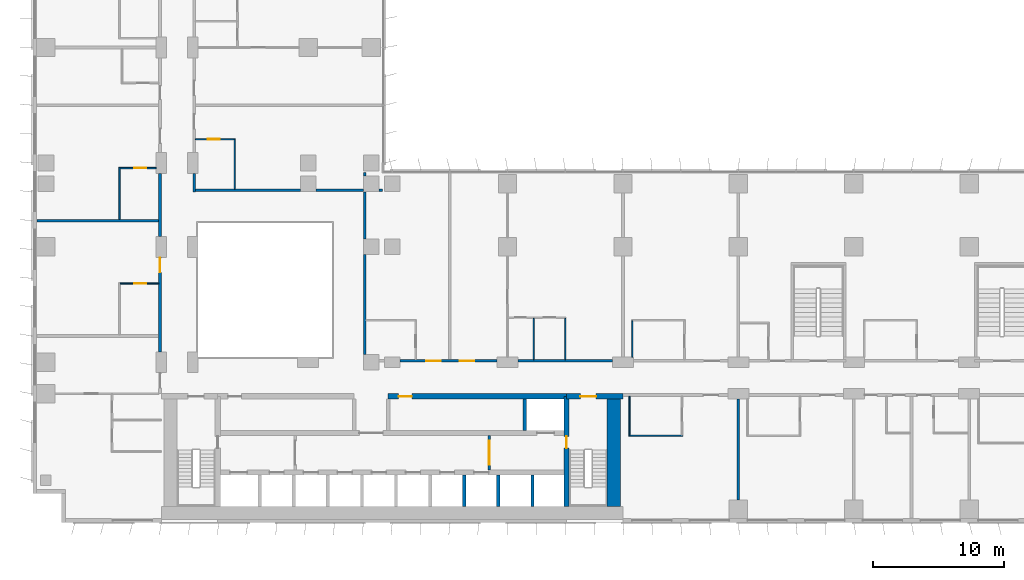
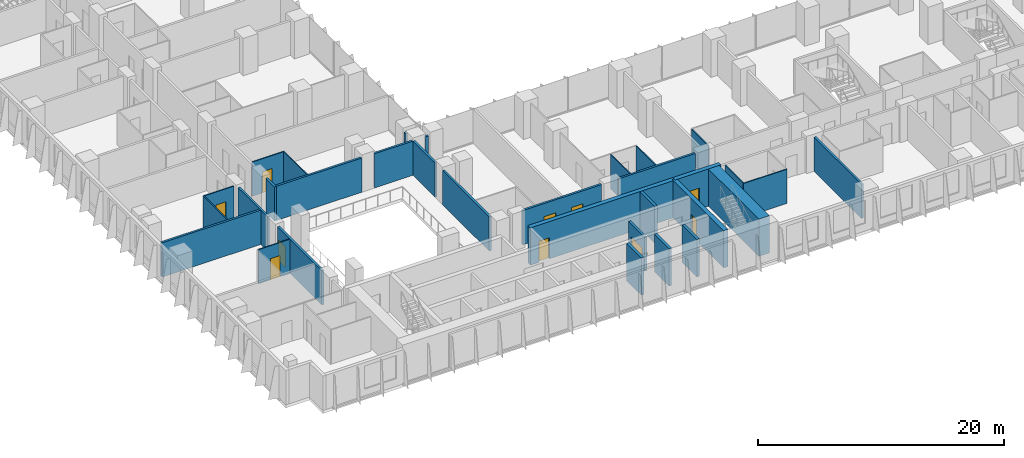
# One storey, part 13 of 24: 32 walls, 10 doors, 10 openings.
"""IFC4 building model written with IfcOpenShell, lengths in metres."""

from ifc_helpers import new_model, si_unit, direction, frame, frame_2d, origin, place, context, subcontext, project, spatial, rectangle, extrude, material, layer, layer_set, type_object, element, fill, save


model = new_model("IFC4")

# Units and contexts
model_context = context("Model", 3, precision=1e-05, world=origin(), true_north=direction((0.0, 1.0)))
body_context = subcontext(model_context, "Body", "Model", "MODEL_VIEW")
ifc_project = project(units=[si_unit("LENGTHUNIT", "METRE"), si_unit("AREAUNIT", "SQUARE_METRE"), si_unit("VOLUMEUNIT", "CUBIC_METRE"), si_unit("PLANEANGLEUNIT", "RADIAN"), si_unit("MASSUNIT", "GRAM", prefix="KILO")], contexts=[model_context])

# Site, building, storey
site_placement = place(None, origin())
site = spatial("IfcSite", under=ifc_project, at=site_placement, CompositionType="ELEMENT")
building_placement = place(site_placement, origin())
building = spatial("IfcBuilding", under=site, at=building_placement, Name="Kemantara Hotel Tower", CompositionType="ELEMENT")
storey_placement = place(building_placement, frame((0.0, 0.0, 45.10009765625)))
storey = spatial("IfcBuildingStorey", under=building, at=storey_placement, Name="L09", CompositionType="ELEMENT", Elevation=45.10009765625)

# Walls
ifc_material_1 = material(Name="Concrete fc 70 MPa", Category="concrete")
ifc_layer_1 = layer(ifc_material_1, 1.0)
ifc_layer_set_1 = layer_set([ifc_layer_1], Name="Concrete fc 70 MPa")
wall_type_1 = type_object("IfcWallType", Name="CORE WALL 1000 FC70", PredefinedType="SHEAR", material=ifc_layer_set_1)
wall_1_placement = place(storey_placement, frame((44.300048828125, 1.199951171875, 0.0), z_axis=(0.0, 0.0, 1.0), x_axis=(0.0, 1.0, 0.0)))
element("IfcWall", 1, at=wall_1_placement, inside=storey, type_object=wall_type_1, Name="CORE WALL CW-E", PredefinedType="SHEAR", context=body_context, shape_type="SweptSolid", body=[
    extrude(rectangle(XDim=8.60009765625, YDim=1.0, at=frame_2d((4.300048828125, 0.0))), origin(), (0.0, 0.0, 1.0), 3.699951171875),
])
ifc_layer_2 = layer(ifc_material_1, 0.25)
ifc_layer_set_2 = layer_set([ifc_layer_2], Name="Concrete fc 70 MPa")
wall_type_2 = type_object("IfcWallType", Name="CORE WALL 250 FC70", PredefinedType="SHEAR", material=ifc_layer_set_2)
for number, where, z_axis, x_axis, name in (
    (2, (32.89990234375, 1.199951171875, 0.0), (0.0, 0.0, 1.0), (0.0, 1.0, 0.0), "CORE WALL CW-DS32.9"),
    (3, (35.5, 1.199951171875, 0.0), (0.0, 0.0, 1.0), (0.0, 1.0, 0.0), "CORE WALL CW-DS35.5"),
    (4, (38.10009765625, 1.199951171875, 0.0), (0.0, 0.0, 1.0), (0.0, 1.0, 0.0), "CORE WALL CW-DS38.1"),
):
    element("IfcWall", number, at=place(storey_placement, frame(where, z_axis=z_axis, x_axis=x_axis)), inside=storey, type_object=wall_type_2, Name=name, PredefinedType="SHEAR", context=body_context, shape_type="SweptSolid", body=[
        extrude(rectangle(XDim=2.400146484375, YDim=0.25, at=frame_2d((1.2001953125, 0.0))), origin(), (0.0, 0.0, 1.0), 3.699951171875),
    ])
wall_2_placement = place(storey_placement, frame((37.5, 7.0, 0.0), z_axis=(0.0, 0.0, 1.0), x_axis=(0.0, 1.0, 0.0)))
element("IfcWall", 5, at=wall_2_placement, inside=storey, type_object=wall_type_2, Name="CORE WALL CW-DN37.5", PredefinedType="SHEAR", context=body_context, shape_type="SweptSolid", body=[
    extrude(rectangle(XDim=2.39990234375, YDim=0.25, at=frame_2d((1.199951171875, 0.0))), origin(), (0.0, 0.0, 1.0), 3.699951171875),
])

# Wall, opening, door
ifc_layer_3 = layer(ifc_material_1, 0.39990234375)
ifc_layer_set_3 = layer_set([ifc_layer_3], Name="Concrete fc 70 MPa")
wall_type_3 = type_object("IfcWallType", Name="CORE WALL 400 FC70", PredefinedType="SHEAR", material=ifc_layer_set_3)
wall_3_placement = place(storey_placement, frame((40.699951171875, 9.60009765625, 0.0), z_axis=(0.0, 0.0, 1.0), x_axis=(1.0, 0.0, 0.0)))
wall_3 = element("IfcWall", 6, at=wall_3_placement, inside=storey, type_object=wall_type_3, Name="CORE WALL CW-N2", PredefinedType="SHEAR", context=body_context, shape_type="SweptSolid", body=[
    extrude(rectangle(XDim=4.300048828125, YDim=0.39990234375, at=frame_2d((2.14990234375, 0.0))), origin(), (0.0, 0.0, 1.0), 3.699951171875),
])
opening_1_placement = place(wall_3_placement, frame((1.050048828125, 0.0, 0.0)))
opening_1 = element("IfcOpeningElement", 7, at=opening_1_placement, cuts=wall_3, Name="Opening C09-ST2-C", PredefinedType="OPENING", context=body_context, shape_type="SweptSolid", body=[
    extrude(rectangle(XDim=1.199951171875, YDim=2.10009765625, at=frame_2d((0.60009765625, 1.050048828125))), frame((0.0, 0.2099609375, 0.0), z_axis=(0.0, -1.0, 0.0), x_axis=(1.0, 0.0, 0.0)), (0.0, 0.0, 1.0), 0.419921875),
])
ifc_material_2 = material(Name="Steel fire door", Category="steel")
door_type_1 = type_object("IfcDoorType", Name="Fire door FD90 1200 x 2100", OperationType="NOTDEFINED", PredefinedType="DOOR", material=ifc_material_2)
door_1_placement = place(opening_1_placement, frame((1.199951171875, 0.0, 0.0), z_axis=(0.0, 0.0, 1.0), x_axis=(-1.0, 0.0, 0.0)))
door_1 = element("IfcDoor", 8, at=door_1_placement, inside=storey, type_object=door_type_1, Name="Stair ST2 door to corridor", OperationType="SINGLE_SWING_RIGHT", OverallHeight=2.10009765625, OverallWidth=1.199951171875, PredefinedType="DOOR", context=body_context, shape_type="SweptSolid", body=[
    extrude(rectangle(XDim=1.199951171875, YDim=2.10009765625, at=frame_2d((0.60009765625, 1.050048828125))), frame((0.0, 0.02490234375, 0.0), z_axis=(0.0, -1.0, 0.0), x_axis=(1.0, 0.0, 0.0)), (0.0, 0.0, 1.0), 0.050048828125),
])
fill(opening_1, door_1)

wall_4_placement = place(storey_placement, frame((27.10009765625, 9.60009765625, 0.0), z_axis=(0.0, 0.0, 1.0), x_axis=(1.0, 0.0, 0.0)))
wall_4 = element("IfcWall", 9, at=wall_4_placement, inside=storey, type_object=wall_type_3, Name="CORE WALL CW-NN2", PredefinedType="SHEAR", context=body_context, shape_type="SweptSolid", body=[
    extrude(rectangle(XDim=13.599853515625, YDim=0.39990234375, at=frame_2d((6.7998046875, 0.0))), origin(), (0.0, 0.0, 1.0), 3.699951171875),
])
opening_2_placement = place(wall_4_placement, frame((0.800048828125, 0.0, 0.0)))
opening_2 = element("IfcOpeningElement", 10, at=opening_2_placement, cuts=wall_4, Name="Opening C09-R-NE1", PredefinedType="OPENING", context=body_context, shape_type="SweptSolid", body=[
    extrude(rectangle(XDim=1.0, YDim=2.10009765625, at=frame_2d((0.5, 1.050048828125))), frame((0.0, 0.2099609375, 0.0), z_axis=(0.0, -1.0, 0.0), x_axis=(1.0, 0.0, 0.0)), (0.0, 0.0, 1.0), 0.419921875),
])
door_type_2 = type_object("IfcDoorType", Name="Fire door FD30S 1000 x 2100", OperationType="NOTDEFINED", PredefinedType="DOOR", material=ifc_material_2)
door_2_placement = place(opening_2_placement, frame((1.0, 0.0, 0.0), z_axis=(0.0, 0.0, 1.0), x_axis=(-1.0, 0.0, 0.0)))
door_2 = element("IfcDoor", 11, at=door_2_placement, inside=storey, type_object=door_type_2, Name="Staff Lounge door", OperationType="SINGLE_SWING_RIGHT", OverallHeight=2.10009765625, OverallWidth=1.0, PredefinedType="DOOR", context=body_context, shape_type="SweptSolid", body=[
    extrude(rectangle(XDim=1.0, YDim=2.10009765625, at=frame_2d((0.5, 1.050048828125))), frame((0.0, 0.02490234375, 0.0), z_axis=(0.0, -1.0, 0.0), x_axis=(1.0, 0.0, 0.0)), (0.0, 0.0, 1.0), 0.050048828125),
])
fill(opening_2, door_2)

wall_5_placement = place(storey_placement, frame((40.699951171875, 1.199951171875, 0.0), z_axis=(0.0, 0.0, 1.0), x_axis=(0.0, 1.0, 0.0)))
wall_5 = element("IfcWall", 12, at=wall_5_placement, inside=storey, type_object=wall_type_3, Name="CORE WALL CW-ST2W", PredefinedType="SHEAR", context=body_context, shape_type="SweptSolid", body=[
    extrude(rectangle(XDim=8.400146484375, YDim=0.39990234375, at=frame_2d((4.2001953125, 0.0))), origin(), (0.0, 0.0, 1.0), 3.699951171875),
])
opening_3_placement = place(wall_5_placement, frame((4.449951171875, 0.0, 0.0)))
opening_3 = element("IfcOpeningElement", 13, at=opening_3_placement, cuts=wall_5, Name="Opening C09-ST2-F", PredefinedType="OPENING", context=body_context, shape_type="SweptSolid", body=[
    extrude(rectangle(XDim=0.89990234375, YDim=2.10009765625, at=frame_2d((0.449951171875, 1.050048828125))), frame((0.0, 0.2099609375, 0.0), z_axis=(0.0, -1.0, 0.0), x_axis=(1.0, 0.0, 0.0)), (0.0, 0.0, 1.0), 0.419921875),
])
door_type_3 = type_object("IfcDoorType", Name="Fire door FD90 900 x 2100", OperationType="NOTDEFINED", PredefinedType="DOOR", material=ifc_material_2)
door_3_placement = place(opening_3_placement, frame((0.89990234375, 0.0, 0.0), z_axis=(0.0, 0.0, 1.0), x_axis=(-1.0, 0.0, 0.0)))
door_3 = element("IfcDoor", 14, at=door_3_placement, inside=storey, type_object=door_type_3, Name="Stair ST2 door to firefighting lobby", OperationType="SINGLE_SWING_LEFT", OverallHeight=2.10009765625, OverallWidth=0.89990234375, PredefinedType="DOOR", context=body_context, shape_type="SweptSolid", body=[
    extrude(rectangle(XDim=0.89990234375, YDim=2.10009765625, at=frame_2d((0.449951171875, 1.050048828125))), frame((0.0, 0.02490234375, 0.0), z_axis=(0.0, -1.0, 0.0), x_axis=(1.0, 0.0, 0.0)), (0.0, 0.0, 1.0), 0.050048828125),
])
fill(opening_3, door_3)

# Wall, openings, doors
ifc_material_3 = material(Name="Gypsum board partition, steel studs and mineral wool, 200 mm", Category="steel")
ifc_layer_4 = layer(ifc_material_3, 0.199951171875)
ifc_layer_set_4 = layer_set([ifc_layer_4], Name="Gypsum board partition, steel studs and mineral wool, 200 mm")
wall_type_4 = type_object("IfcWallType", Name="CORRIDOR WALL 200", PredefinedType="PARTITIONING", material=ifc_layer_set_4)
wall_6_placement = place(storey_placement, frame((28.0, 12.300048828125, 0.0), z_axis=(0.0, 0.0, 1.0), x_axis=(1.0, 0.0, 0.0)))
wall_6 = element("IfcWall", 15, at=wall_6_placement, inside=storey, type_object=wall_type_4, Name="CORRIDOR WALL 200 012", PredefinedType="PARTITIONING", context=body_context, shape_type="SweptSolid", body=[
    extrude(rectangle(XDim=7.39990234375, YDim=0.199951171875, at=frame_2d((3.699951171875, 0.0))), origin(), (0.0, 0.0, 1.0), 3.39990234375),
])
opening_4_placement = place(wall_6_placement, frame((2.0, 0.0, 0.0)))
opening_4 = element("IfcOpeningElement", 16, at=opening_4_placement, cuts=wall_6, Name="Opening F02-011", PredefinedType="OPENING", context=body_context, shape_type="SweptSolid", body=[
    extrude(rectangle(XDim=1.10009765625, YDim=2.10009765625, at=frame_2d((0.550048828125, 1.050048828125))), frame((0.0, 0.10986328125, 0.0), z_axis=(0.0, -1.0, 0.0), x_axis=(1.0, 0.0, 0.0)), (0.0, 0.0, 1.0), 0.219970703125),
])
opening_5_placement = place(wall_6_placement, frame((4.5498046875, 0.0, 0.0)))
opening_5 = element("IfcOpeningElement", 17, at=opening_5_placement, cuts=wall_6, Name="Opening F02-013", PredefinedType="OPENING", context=body_context, shape_type="SweptSolid", body=[
    extrude(rectangle(XDim=1.10009765625, YDim=2.10009765625, at=frame_2d((0.550048828125, 1.050048828125))), frame((0.0, 0.10986328125, 0.0), z_axis=(0.0, -1.0, 0.0), x_axis=(1.0, 0.0, 0.0)), (0.0, 0.0, 1.0), 0.219970703125),
])
ifc_material_4 = material(Name="Hardwood veneer door leaf with steel frame", Category="steel")
door_type_4 = type_object("IfcDoorType", Name="SUITE ENTRANCE DOOR 1100 X 2100 FD30S", OperationType="NOTDEFINED", PredefinedType="DOOR", material=ifc_material_4)
door_4_placement = place(opening_4_placement, origin())
door_4 = element("IfcDoor", 18, at=door_4_placement, inside=storey, type_object=door_type_4, Name="SUITE ENTRANCE DOOR F02-011", OperationType="SINGLE_SWING_RIGHT", OverallHeight=2.10009765625, OverallWidth=1.10009765625, PredefinedType="DOOR", context=body_context, shape_type="SweptSolid", body=[
    extrude(rectangle(XDim=1.10009765625, YDim=2.10009765625, at=frame_2d((0.550048828125, 1.050048828125))), frame((0.0, 0.02490234375, 0.0), z_axis=(0.0, -1.0, 0.0), x_axis=(1.0, 0.0, 0.0)), (0.0, 0.0, 1.0), 0.050048828125),
])
fill(opening_4, door_4)
door_5_placement = place(opening_5_placement, origin())
door_5 = element("IfcDoor", 19, at=door_5_placement, inside=storey, type_object=door_type_4, Name="SUITE ENTRANCE DOOR F02-013", OperationType="SINGLE_SWING_LEFT", OverallHeight=2.10009765625, OverallWidth=1.10009765625, PredefinedType="DOOR", context=body_context, shape_type="SweptSolid", body=[
    extrude(rectangle(XDim=1.10009765625, YDim=2.10009765625, at=frame_2d((0.550048828125, 1.050048828125))), frame((0.0, 0.02490234375, 0.0), z_axis=(0.0, -1.0, 0.0), x_axis=(1.0, 0.0, 0.0)), (0.0, 0.0, 1.0), 0.050048828125),
])
fill(opening_5, door_5)

# Wall
wall_7_placement = place(storey_placement, frame((37.0, 12.300048828125, 0.0), z_axis=(0.0, 0.0, 1.0), x_axis=(1.0, 0.0, 0.0)))
element("IfcWall", 20, at=wall_7_placement, inside=storey, type_object=wall_type_4, Name="CORRIDOR WALL 200 013", PredefinedType="PARTITIONING", context=body_context, shape_type="SweptSolid", body=[
    extrude(rectangle(XDim=7.199951171875, YDim=0.199951171875, at=frame_2d((3.60009765625, 0.0))), origin(), (0.0, 0.0, 1.0), 3.39990234375),
])

# Wall, opening, door
wall_8_placement = place(storey_placement, frame((9.699951171875, 13.0, 0.0), z_axis=(0.0, 0.0, 1.0), x_axis=(0.0, 1.0, 0.0)))
wall_8 = element("IfcWall", 21, at=wall_8_placement, inside=storey, type_object=wall_type_4, Name="CORRIDOR WALL 200 025", PredefinedType="PARTITIONING", context=body_context, shape_type="SweptSolid", body=[
    extrude(rectangle(XDim=7.199951171875, YDim=0.199951171875, at=frame_2d((3.60009765625, 0.0))), origin(), (0.0, 0.0, 1.0), 3.39990234375),
])
opening_6_placement = place(wall_8_placement, frame((6.0498046875, 0.0, 0.0)))
opening_6 = element("IfcOpeningElement", 22, at=opening_6_placement, cuts=wall_8, Name="Opening F02-029", PredefinedType="OPENING", context=body_context, shape_type="SweptSolid", body=[
    extrude(rectangle(XDim=1.10009765625, YDim=2.10009765625, at=frame_2d((0.550048828125, 1.050048828125))), frame((0.0, 0.10986328125, 0.0), z_axis=(0.0, -1.0, 0.0), x_axis=(1.0, 0.0, 0.0)), (0.0, 0.0, 1.0), 0.219970703125),
])
door_6_placement = place(opening_6_placement, origin())
door_6 = element("IfcDoor", 23, at=door_6_placement, inside=storey, type_object=door_type_4, Name="SUITE ENTRANCE DOOR F02-029", OperationType="SINGLE_SWING_RIGHT", OverallHeight=2.10009765625, OverallWidth=1.10009765625, PredefinedType="DOOR", context=body_context, shape_type="SweptSolid", body=[
    extrude(rectangle(XDim=1.10009765625, YDim=2.10009765625, at=frame_2d((0.550048828125, 1.050048828125))), frame((0.0, 0.02490234375, 0.0), z_axis=(0.0, -1.0, 0.0), x_axis=(1.0, 0.0, 0.0)), (0.0, 0.0, 1.0), 0.050048828125),
])
fill(opening_6, door_6)

# Walls
wall_9_placement = place(storey_placement, frame((9.699951171875, 21.800048828125, 0.0), z_axis=(0.0, 0.0, 1.0), x_axis=(0.0, 1.0, 0.0)))
element("IfcWall", 24, at=wall_9_placement, inside=storey, type_object=wall_type_4, Name="CORRIDOR WALL 200 026", PredefinedType="PARTITIONING", context=body_context, shape_type="SweptSolid", body=[
    extrude(rectangle(XDim=4.7998046875, YDim=0.199951171875, at=frame_2d((2.39990234375, 0.0))), origin(), (0.0, 0.0, 1.0), 3.39990234375),
])
wall_10_placement = place(storey_placement, frame((12.300048828125, 25.199951171875, 0.0), z_axis=(0.0, 0.0, 1.0), x_axis=(0.0, 1.0, 0.0)))
element("IfcWall", 25, at=wall_10_placement, inside=storey, type_object=wall_type_4, Name="CORRIDOR WALL 200 043", PredefinedType="PARTITIONING", context=body_context, shape_type="SweptSolid", body=[
    extrude(rectangle(XDim=1.39990234375, YDim=0.199951171875, at=frame_2d((0.699951171875, 0.0))), origin(), (0.0, 0.0, 1.0), 3.39990234375),
])
ifc_layer_5 = layer(ifc_material_3, 0.199951171875)
ifc_layer_set_5 = layer_set([ifc_layer_5], Name="Gypsum board partition, steel studs and mineral wool, 200 mm")
wall_type_5 = type_object("IfcWallType", Name="GUEST ROOM PARTY WALL 200", PredefinedType="PARTITIONING", material=ifc_layer_set_5)
wall_11_placement = place(storey_placement, frame((53.800048828125, 1.7001953125, 0.0), z_axis=(0.0, 0.0, 1.0), x_axis=(0.0, 1.0, 0.0)))
element("IfcWall", 26, at=wall_11_placement, inside=storey, type_object=wall_type_5, Name="GUEST ROOM PARTY WALL 200 005", PredefinedType="PARTITIONING", context=body_context, shape_type="SweptSolid", body=[
    extrude(rectangle(XDim=7.69970703125, YDim=0.199951171875, at=frame_2d((3.849853515625, 0.0))), origin(), (0.0, 0.0, 1.0), 3.39990234375),
])
wall_12_placement = place(storey_placement, frame((25.300048828125, 12.800048828125, 0.0), z_axis=(0.0, 0.0, 1.0), x_axis=(0.0, 1.0, 0.0)))
element("IfcWall", 27, at=wall_12_placement, inside=storey, type_object=wall_type_5, Name="GUEST ROOM PARTY WALL 200 018", PredefinedType="PARTITIONING", context=body_context, shape_type="SweptSolid", body=[
    extrude(rectangle(XDim=7.599853515625, YDim=0.199951171875, at=frame_2d((3.7998046875, 0.0))), origin(), (0.0, 0.0, 1.0), 3.39990234375),
])
wall_13_placement = place(storey_placement, frame((25.300048828125, 21.60009765625, 0.0), z_axis=(0.0, 0.0, 1.0), x_axis=(0.0, 1.0, 0.0)))
element("IfcWall", 28, at=wall_13_placement, inside=storey, type_object=wall_type_5, Name="GUEST ROOM PARTY WALL 200 019", PredefinedType="PARTITIONING", context=body_context, shape_type="SweptSolid", body=[
    extrude(rectangle(XDim=3.599853515625, YDim=0.199951171875, at=frame_2d((1.7998046875, 0.0))), origin(), (0.0, 0.0, 1.0), 3.39990234375),
])
wall_14_placement = place(storey_placement, frame((25.300048828125, 26.400146484375, 0.0), z_axis=(0.0, 0.0, 1.0), x_axis=(0.0, 1.0, 0.0)))
element("IfcWall", 29, at=wall_14_placement, inside=storey, type_object=wall_type_5, Name="GUEST ROOM PARTY WALL 200 020", PredefinedType="PARTITIONING", context=body_context, shape_type="SweptSolid", body=[
    extrude(rectangle(XDim=0.269775390625, YDim=0.199951171875, at=frame_2d((0.134765625, 0.0))), origin(), (0.0, 0.0, 1.0), 3.39990234375),
])
wall_15_placement = place(storey_placement, frame((0.31005859375, 23.0, 0.0), z_axis=(0.0, 0.0, 1.0), x_axis=(1.0, 0.0, 0.0)))
element("IfcWall", 30, at=wall_15_placement, inside=storey, type_object=wall_type_5, Name="GUEST ROOM PARTY WALL 200 034", PredefinedType="PARTITIONING", context=body_context, shape_type="SweptSolid", body=[
    extrude(rectangle(XDim=9.2900390625, YDim=0.199951171875, at=frame_2d((4.64501953125, 0.0))), origin(), (0.0, 0.0, 1.0), 3.39990234375),
])
wall_16_placement = place(storey_placement, frame((12.39990234375, 25.300048828125, 0.0), z_axis=(0.0, 0.0, 1.0), x_axis=(1.0, 0.0, 0.0)))
element("IfcWall", 31, at=wall_16_placement, inside=storey, type_object=wall_type_5, Name="GUEST ROOM PARTY WALL 200 050", PredefinedType="PARTITIONING", context=body_context, shape_type="SweptSolid", body=[
    extrude(rectangle(XDim=8.0, YDim=0.199951171875, at=frame_2d((4.0, 0.0))), origin(), (0.0, 0.0, 1.0), 3.39990234375),
])
wall_17_placement = place(storey_placement, frame((21.60009765625, 25.300048828125, 0.0), z_axis=(0.0, 0.0, 1.0), x_axis=(1.0, 0.0, 0.0)))
element("IfcWall", 32, at=wall_17_placement, inside=storey, type_object=wall_type_5, Name="GUEST ROOM PARTY WALL 200 051", PredefinedType="PARTITIONING", context=body_context, shape_type="SweptSolid", body=[
    extrude(rectangle(XDim=3.599853515625, YDim=0.199951171875, at=frame_2d((1.7998046875, 0.0))), origin(), (0.0, 0.0, 1.0), 3.39990234375),
])
wall_18_placement = place(storey_placement, frame((26.400146484375, 25.300048828125, 0.0), z_axis=(0.0, 0.0, 1.0), x_axis=(1.0, 0.0, 0.0)))
element("IfcWall", 33, at=wall_18_placement, inside=storey, type_object=wall_type_5, Name="GUEST ROOM PARTY WALL 200 052", PredefinedType="PARTITIONING", context=body_context, shape_type="SweptSolid", body=[
    extrude(rectangle(XDim=0.269775390625, YDim=0.199951171875, at=frame_2d((0.134765625, 0.0))), origin(), (0.0, 0.0, 1.0), 3.39990234375),
])

# Wall, opening, door
ifc_material_5 = material(Name="Gypsum board shaft wall")
ifc_layer_6 = layer(ifc_material_5, 0.199951171875)
ifc_layer_set_6 = layer_set([ifc_layer_6], Name="Gypsum board shaft wall")
wall_type_6 = type_object("IfcWallType", Name="Gypsum board shaft wall 200 mm", PredefinedType="PARTITIONING", material=ifc_layer_set_6)
wall_19_placement = place(storey_placement, frame((34.800048828125, 4.0, 0.0), z_axis=(0.0, 0.0, 1.0), x_axis=(0.0, 1.0, 0.0)))
wall_19 = element("IfcWall", 34, at=wall_19_placement, inside=storey, type_object=wall_type_6, Name="Firefighting lobby partition east", PredefinedType="PARTITIONING", context=body_context, shape_type="SweptSolid", body=[
    extrude(rectangle(XDim=2.60009765625, YDim=0.199951171875, at=frame_2d((1.300048828125, 0.0))), origin(), (0.0, 0.0, 1.0), 3.39990234375),
])
opening_7_placement = place(wall_19_placement, frame((0.39990234375, 0.0, 0.0)))
opening_7 = element("IfcOpeningElement", 35, at=opening_7_placement, cuts=wall_19, Name="Opening C09-FFE", PredefinedType="OPENING", context=body_context, shape_type="SweptSolid", body=[
    extrude(rectangle(XDim=1.800048828125, YDim=2.10009765625, at=frame_2d((0.89990234375, 1.050048828125))), frame((0.0, 0.10986328125, 0.0), z_axis=(0.0, -1.0, 0.0), x_axis=(1.0, 0.0, 0.0)), (0.0, 0.0, 1.0), 0.219970703125),
])
door_type_5 = type_object("IfcDoorType", Name="Fire door pair FD60 1800 x 2100", OperationType="DOUBLE_DOOR_SINGLE_SWING", PredefinedType="DOOR", material=ifc_material_2)
door_7_placement = place(opening_7_placement, frame((1.800048828125, 0.0, 0.0), z_axis=(0.0, 0.0, 1.0), x_axis=(-1.0, 0.0, 0.0)))
door_7 = element("IfcDoor", 36, at=door_7_placement, inside=storey, type_object=door_type_5, Name="Firefighting lobby door east", OperationType="DOUBLE_DOOR_SINGLE_SWING", OverallHeight=2.10009765625, OverallWidth=1.800048828125, PredefinedType="DOOR", context=body_context, shape_type="SweptSolid", body=[
    extrude(rectangle(XDim=1.800048828125, YDim=2.10009765625, at=frame_2d((0.89990234375, 1.050048828125))), frame((0.0, 0.02490234375, 0.0), z_axis=(0.0, -1.0, 0.0), x_axis=(1.0, 0.0, 0.0)), (0.0, 0.0, 1.0), 0.050048828125),
])
fill(opening_7, door_7)

# Walls
ifc_material_6 = material(Name="Gypsum board partition on steel studs, 100 mm", Category="steel")
ifc_layer_7 = layer(ifc_material_6, 0.10009765625)
ifc_layer_set_7 = layer_set([ifc_layer_7], Name="Gypsum board partition on steel studs, 100 mm")
wall_type_7 = type_object("IfcWallType", Name="ROOM PARTITION 100", PredefinedType="PARTITIONING", material=ifc_layer_set_7)
wall_20_placement = place(storey_placement, frame((45.449951171875, 6.60009765625, 0.0), z_axis=(0.0, 0.0, 1.0), x_axis=(1.0, 0.0, 0.0)))
element("IfcWall", 37, at=wall_20_placement, inside=storey, type_object=wall_type_7, Name="ROOM PARTITION 100 056", PredefinedType="PARTITIONING", context=body_context, shape_type="SweptSolid", body=[
    extrude(rectangle(XDim=4.10009765625, YDim=0.10009765625, at=frame_2d((2.050048828125, 0.0))), origin(), (0.0, 0.0, 1.0), 3.39990234375),
])
wall_21_placement = place(storey_placement, frame((45.5, 6.64990234375, 0.0), z_axis=(0.0, 0.0, 1.0), x_axis=(0.0, 1.0, 0.0)))
element("IfcWall", 38, at=wall_21_placement, inside=storey, type_object=wall_type_7, Name="ROOM PARTITION 100 058", PredefinedType="PARTITIONING", context=body_context, shape_type="SweptSolid", body=[
    extrude(rectangle(XDim=2.9501953125, YDim=0.10009765625, at=frame_2d((1.47509765625, 0.0))), origin(), (0.0, 0.0, 1.0), 3.39990234375),
])
for number, where, z_axis, x_axis, name in (
    (39, (40.60009765625, 12.39990234375, 0.0), (0.0, 0.0, 1.0), (0.0, 1.0, 0.0), "ROOM PARTITION 100 076"),
    (40, (38.199951171875, 12.39990234375, 0.0), (0.0, 0.0, 1.0), (0.0, 1.0, 0.0), "ROOM PARTITION 100 077"),
):
    element("IfcWall", number, at=place(storey_placement, frame(where, z_axis=z_axis, x_axis=x_axis)), inside=storey, type_object=wall_type_7, Name=name, PredefinedType="PARTITIONING", context=body_context, shape_type="SweptSolid", body=[
        extrude(rectangle(XDim=3.150146484375, YDim=0.10009765625, at=frame_2d((1.5751953125, 0.0))), origin(), (0.0, 0.0, 1.0), 3.39990234375),
    ])
wall_22_placement = place(storey_placement, frame((45.699951171875, 12.60009765625, 0.0), z_axis=(0.0, 0.0, 1.0), x_axis=(0.0, 1.0, 0.0)))
element("IfcWall", 41, at=wall_22_placement, inside=storey, type_object=wall_type_7, Name="ROOM PARTITION 100 078", PredefinedType="PARTITIONING", context=body_context, shape_type="SweptSolid", body=[
    extrude(rectangle(XDim=2.75, YDim=0.10009765625, at=frame_2d((1.375, 0.0))), origin(), (0.0, 0.0, 1.0), 3.39990234375),
])
wall_23_placement = place(storey_placement, frame((6.60009765625, 23.10009765625, 0.0), z_axis=(0.0, 0.0, 1.0), x_axis=(0.0, 1.0, 0.0)))
element("IfcWall", 42, at=wall_23_placement, inside=storey, type_object=wall_type_7, Name="ROOM PARTITION 100 092", PredefinedType="PARTITIONING", context=body_context, shape_type="SweptSolid", body=[
    extrude(rectangle(XDim=3.949951171875, YDim=0.10009765625, at=frame_2d((1.97509765625, 0.0))), origin(), (0.0, 0.0, 1.0), 3.39990234375),
])

# Wall, opening, door
wall_24_placement = place(storey_placement, frame((9.60009765625, 18.199951171875, 0.0), z_axis=(0.0, 0.0, 1.0), x_axis=(-1.0, 0.0, 0.0)))
wall_24 = element("IfcWall", 43, at=wall_24_placement, inside=storey, type_object=wall_type_7, Name="ROOM PARTITION 100 096", PredefinedType="PARTITIONING", context=body_context, shape_type="SweptSolid", body=[
    extrude(rectangle(XDim=2.9501953125, YDim=0.10009765625, at=frame_2d((1.47509765625, 0.0))), origin(), (0.0, 0.0, 1.0), 3.39990234375),
])
opening_8_placement = place(wall_24_placement, frame((0.949951171875, 0.0, 0.0)))
opening_8 = element("IfcOpeningElement", 44, at=opening_8_placement, cuts=wall_24, Name="Opening F02-030", PredefinedType="OPENING", context=body_context, shape_type="SweptSolid", body=[
    extrude(rectangle(XDim=0.89990234375, YDim=2.10009765625, at=frame_2d((0.449951171875, 1.050048828125))), frame((0.0, 0.06005859375, 0.0), z_axis=(0.0, -1.0, 0.0), x_axis=(1.0, 0.0, 0.0)), (0.0, 0.0, 1.0), 0.1201171875),
])
door_type_6 = type_object("IfcDoorType", Name="BATHROOM DOOR 900 X 2100", OperationType="NOTDEFINED", PredefinedType="DOOR", material=ifc_material_4)
door_8_placement = place(opening_8_placement, origin())
door_8 = element("IfcDoor", 45, at=door_8_placement, inside=storey, type_object=door_type_6, Name="BATHROOM DOOR F02-030", OperationType="SINGLE_SWING_LEFT", OverallHeight=2.10009765625, OverallWidth=0.89990234375, PredefinedType="DOOR", context=body_context, shape_type="SweptSolid", body=[
    extrude(rectangle(XDim=0.89990234375, YDim=2.10009765625, at=frame_2d((0.449951171875, 1.050048828125))), frame((0.0, 0.02490234375, 0.0), z_axis=(0.0, -1.0, 0.0), x_axis=(1.0, 0.0, 0.0)), (0.0, 0.0, 1.0), 0.050048828125),
])
fill(opening_8, door_8)

wall_25_placement = place(storey_placement, frame((9.39990234375, 27.0, 0.0), z_axis=(0.0, 0.0, 1.0), x_axis=(-1.0, 0.0, 0.0)))
wall_25 = element("IfcWall", 46, at=wall_25_placement, inside=storey, type_object=wall_type_7, Name="ROOM PARTITION 100 097", PredefinedType="PARTITIONING", context=body_context, shape_type="SweptSolid", body=[
    extrude(rectangle(XDim=2.75, YDim=0.10009765625, at=frame_2d((1.375, 0.0))), origin(), (0.0, 0.0, 1.0), 3.39990234375),
])
opening_9_placement = place(wall_25_placement, frame((0.75, 0.0, 0.0)))
opening_9 = element("IfcOpeningElement", 47, at=opening_9_placement, cuts=wall_25, Name="Opening F02-032", PredefinedType="OPENING", context=body_context, shape_type="SweptSolid", body=[
    extrude(rectangle(XDim=0.89990234375, YDim=2.10009765625, at=frame_2d((0.449951171875, 1.050048828125))), frame((0.0, 0.06005859375, 0.0), z_axis=(0.0, -1.0, 0.0), x_axis=(1.0, 0.0, 0.0)), (0.0, 0.0, 1.0), 0.1201171875),
])
door_9_placement = place(opening_9_placement, origin())
door_9 = element("IfcDoor", 48, at=door_9_placement, inside=storey, type_object=door_type_6, Name="BATHROOM DOOR F02-032", OperationType="SINGLE_SWING_LEFT", OverallHeight=2.10009765625, OverallWidth=0.89990234375, PredefinedType="DOOR", context=body_context, shape_type="SweptSolid", body=[
    extrude(rectangle(XDim=0.89990234375, YDim=2.10009765625, at=frame_2d((0.449951171875, 1.050048828125))), frame((0.0, 0.02490234375, 0.0), z_axis=(0.0, -1.0, 0.0), x_axis=(1.0, 0.0, 0.0)), (0.0, 0.0, 1.0), 0.050048828125),
])
fill(opening_9, door_9)

# Wall
wall_26_placement = place(storey_placement, frame((15.39990234375, 25.39990234375, 0.0), z_axis=(0.0, 0.0, 1.0), x_axis=(0.0, 1.0, 0.0)))
element("IfcWall", 49, at=wall_26_placement, inside=storey, type_object=wall_type_7, Name="ROOM PARTITION 100 109", PredefinedType="PARTITIONING", context=body_context, shape_type="SweptSolid", body=[
    extrude(rectangle(XDim=3.85009765625, YDim=0.10009765625, at=frame_2d((1.925048828125, 0.0))), origin(), (0.0, 0.0, 1.0), 3.39990234375),
])

# Wall, opening, door
wall_27_placement = place(storey_placement, frame((15.35009765625, 29.199951171875, 0.0), z_axis=(0.0, 0.0, 1.0), x_axis=(-1.0, 0.0, 0.0)))
wall_27 = element("IfcWall", 50, at=wall_27_placement, inside=storey, type_object=wall_type_7, Name="ROOM PARTITION 100 111", PredefinedType="PARTITIONING", context=body_context, shape_type="SweptSolid", body=[
    extrude(rectangle(XDim=2.9501953125, YDim=0.10009765625, at=frame_2d((1.47509765625, 0.0))), origin(), (0.0, 0.0, 1.0), 3.39990234375),
])
opening_10_placement = place(wall_27_placement, frame((1.10009765625, 0.0, 0.0)))
opening_10 = element("IfcOpeningElement", 51, at=opening_10_placement, cuts=wall_27, Name="Opening F02-046", PredefinedType="OPENING", context=body_context, shape_type="SweptSolid", body=[
    extrude(rectangle(XDim=0.89990234375, YDim=2.10009765625, at=frame_2d((0.449951171875, 1.050048828125))), frame((0.0, 0.06005859375, 0.0), z_axis=(0.0, -1.0, 0.0), x_axis=(1.0, 0.0, 0.0)), (0.0, 0.0, 1.0), 0.1201171875),
])
door_10_placement = place(opening_10_placement, origin())
door_10 = element("IfcDoor", 52, at=door_10_placement, inside=storey, type_object=door_type_6, Name="BATHROOM DOOR F02-046", OperationType="SINGLE_SWING_RIGHT", OverallHeight=2.10009765625, OverallWidth=0.89990234375, PredefinedType="DOOR", context=body_context, shape_type="SweptSolid", body=[
    extrude(rectangle(XDim=0.89990234375, YDim=2.10009765625, at=frame_2d((0.449951171875, 1.050048828125))), frame((0.0, 0.02490234375, 0.0), z_axis=(0.0, -1.0, 0.0), x_axis=(1.0, 0.0, 0.0)), (0.0, 0.0, 1.0), 0.050048828125),
])
fill(opening_10, door_10)

save(model, "model.ifc")
